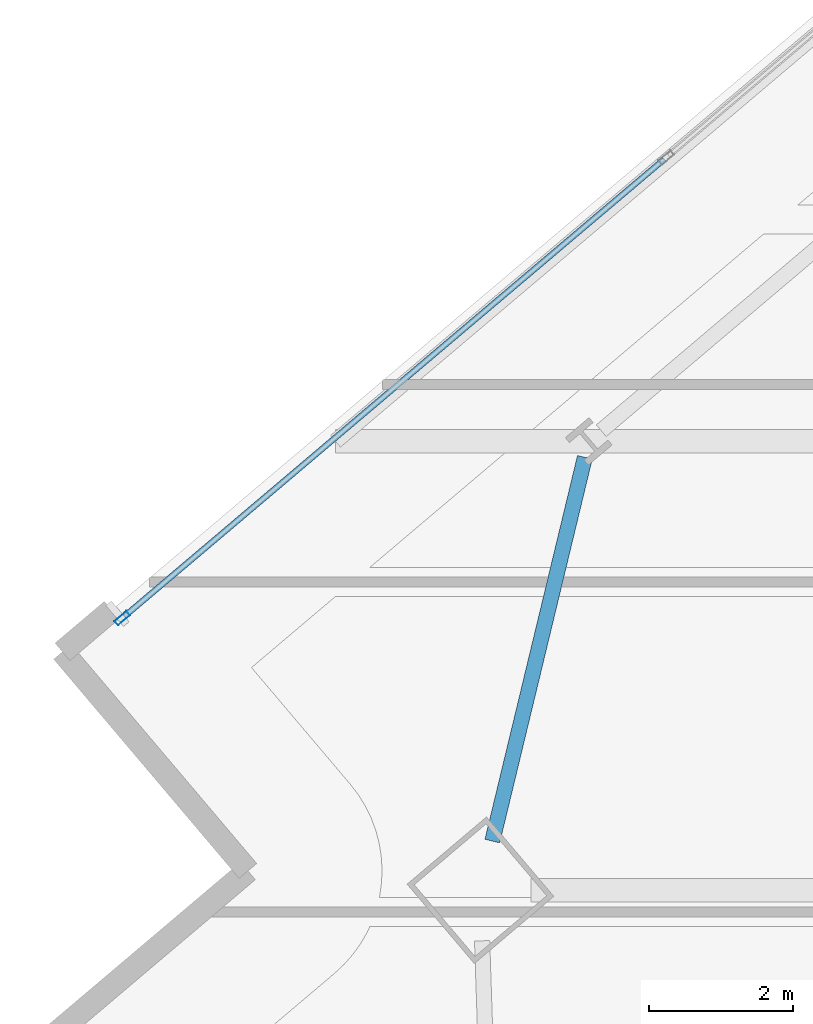
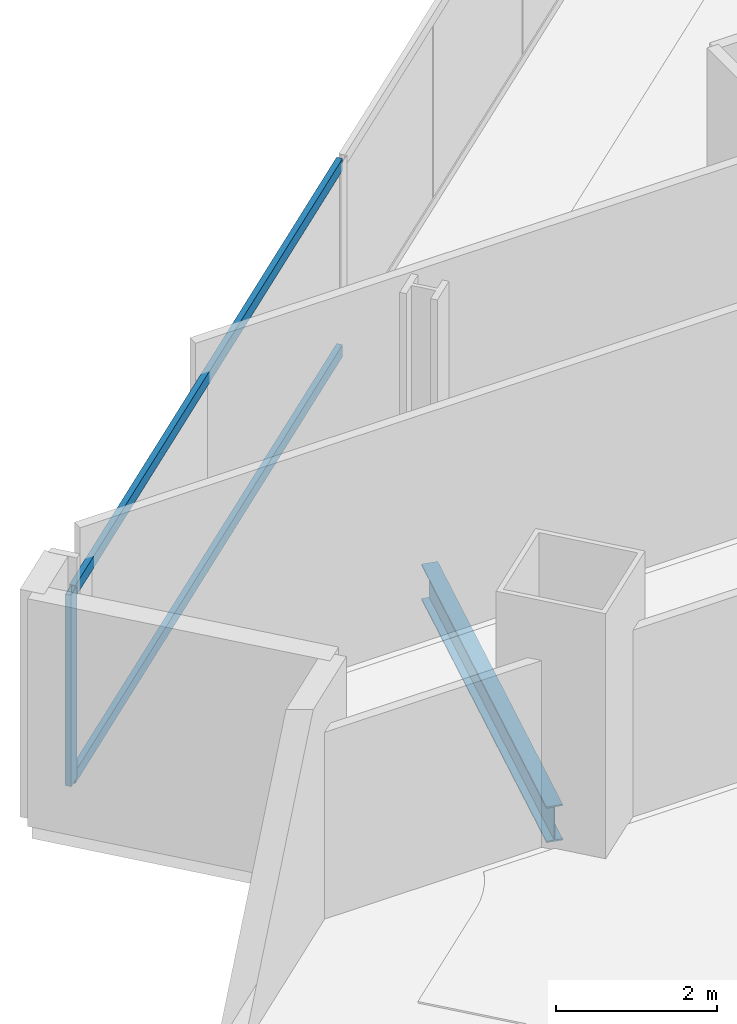
# One storey, part 14 of 34: 3 members, 1 beam, 1 element without a shape of its own.
"""IFC4 building model written with IfcOpenShell, lengths in metres."""

from ifc_helpers import new_model, si_unit, direction, frame, origin, origin_2d, place, context, subcontext, project, spatial, hollow_rectangle, i_section, extrude, material, material_profile, profile_set, type_object, element, aggregate, save


model = new_model("IFC4")

# Units and contexts
model_context = context("Model", 3, precision=1e-05, world=origin(), true_north=direction((0.0, 1.0)))
body_context = subcontext(model_context, "Body", "Model", "MODEL_VIEW")
ifc_project = project(units=[si_unit("LENGTHUNIT", "METRE"), si_unit("AREAUNIT", "SQUARE_METRE"), si_unit("VOLUMEUNIT", "CUBIC_METRE"), si_unit("PLANEANGLEUNIT", "RADIAN"), si_unit("MASSUNIT", "GRAM", prefix="KILO")], contexts=[model_context])

# Site, building, storey
site_placement = place(None, origin())
site = spatial("IfcSite", under=ifc_project, at=site_placement, CompositionType="ELEMENT")
building_placement = place(site_placement, origin())
building = spatial("IfcBuilding", under=site, at=building_placement, Name="Haldenkirk Collegiate Tower", CompositionType="ELEMENT")
storey_placement = place(building_placement, frame((0.0, 0.0, 163.199951171875)))
storey = spatial("IfcBuildingStorey", under=building, at=storey_placement, Name="L40", CompositionType="ELEMENT", Elevation=163.199951171875)

# Beam
ifc_material_1 = material(Name="Steel ASTM A992 Grade 50", Category="steel")
ifc_material_profile_1 = material_profile(ifc_material_1, i_section(OverallWidth=0.2119140625, OverallDepth=0.5439453125, WebThickness=0.01318359375, FlangeThickness=0.021240234375, at=origin_2d()), Name="W21X83")
ifc_profile_set_1 = profile_set([ifc_material_profile_1], Name="Steel ASTM A992 Grade 50")
beam_type = type_object("IfcBeamType", Name="BM-SPANDREL-W21X83", PredefinedType="SPANDREL", material=ifc_profile_set_1)
beam_placement = place(storey_placement, frame((12.21630859375, 33.137451171875, -0.56201171875), z_axis=(-0.234477140293, -0.972121633686, 0.0), x_axis=(0.972121633686, -0.234477140293, 0.0)))
element("IfcBeam", 1, at=beam_placement, inside=storey, type_object=beam_type, Name="L40 perimeter spandrel beam 12", PredefinedType="SPANDREL", context=body_context, shape_type="SweptSolid", body=[
    extrude(i_section(OverallWidth=0.2119140625, OverallDepth=0.5439453125, WebThickness=0.01318359375, FlangeThickness=0.021240234375, at=origin_2d()), origin(), (0.0, 0.0, 1.0), 5.501708984375),
])

# Curtain wall, members
ifc_material_2 = material(Name="Anodised architectural bronze aluminium", Category="aluminium")
curtain_wall_type = type_object("IfcCurtainWallType", Name="CW-SYS1-CONVEX-LOW", PredefinedType="USERDEFINED", material=ifc_material_2)
curtain_wall_placement = place(storey_placement, origin())
curtain_wall = element("IfcCurtainWall", 2, at=curtain_wall_placement, inside=storey, type_object=curtain_wall_type, Name="L40 Lower tower convex bronze-framed unitised curtain wall", ObjectType="UNITISED CURTAIN WALL", PredefinedType="USERDEFINED")
ifc_material_profile_2 = material_profile(ifc_material_2, hollow_rectangle(XDim=0.080078125, YDim=0.219970703125, WallThickness=0.0048828125, at=origin_2d()), Name="CW-MUL-1A")
ifc_profile_set_2 = profile_set([ifc_material_profile_2], Name="Anodised architectural bronze aluminium")
member_type_1 = type_object("IfcMemberType", Name="CW-MUL-1A", PredefinedType="MULLION", material=ifc_profile_set_2)
member_1_placement = place(storey_placement, frame((5.768798828125, 30.89599609375, 0.0), z_axis=(0.0, 0.0, 1.0), x_axis=(-0.646124454254, 0.763232067994, 0.0)))
member_1 = element("IfcMember", 3, at=member_1_placement, type_object=member_type_1, Name="CW-1A mullion 1", PredefinedType="MULLION", context=body_context, shape_type="SweptSolid", body=[
    extrude(hollow_rectangle(XDim=0.080078125, YDim=0.219970703125, WallThickness=0.0048828125, at=origin_2d()), origin(), (0.0, 0.0, 1.0), 2.9111328125),
])
ifc_material_profile_3 = material_profile(ifc_material_2, hollow_rectangle(XDim=0.080078125, YDim=0.179931640625, WallThickness=0.0048828125, at=origin_2d()), Name="CW-TRN-1A")
ifc_profile_set_3 = profile_set([ifc_material_profile_3], Name="Anodised architectural bronze aluminium")
member_type_2 = type_object("IfcMemberType", Name="CW-TRN-1A", PredefinedType="USERDEFINED", material=ifc_profile_set_3)
member_2_placement = place(storey_placement, frame((5.79931640625, 30.921875, 0.0400390625), z_axis=(0.763218996593, 0.64613989448, 0.0), x_axis=(-0.64613989448, 0.763218996593, 0.0)))
member_2 = element("IfcMember", 4, at=member_2_placement, type_object=member_type_2, Name="CW-1A transom 1.1", ObjectType="TRANSOM", PredefinedType="USERDEFINED", context=body_context, shape_type="SweptSolid", body=[
    extrude(hollow_rectangle(XDim=0.080078125, YDim=0.179931640625, WallThickness=0.0048828125, at=origin_2d()), origin(), (0.0, 0.0, 1.0), 9.85498046875),
])
member_3_placement = place(storey_placement, frame((5.79931640625, 30.921875, 2.87109375), z_axis=(0.763218996593, 0.64613989448, 0.0), x_axis=(-0.64613989448, 0.763218996593, 0.0)))
member_3 = element("IfcMember", 5, at=member_3_placement, type_object=member_type_2, Name="CW-1A transom 1.2", ObjectType="TRANSOM", PredefinedType="USERDEFINED", context=body_context, shape_type="SweptSolid", body=[
    extrude(hollow_rectangle(XDim=0.080078125, YDim=0.179931640625, WallThickness=0.0048828125, at=origin_2d()), origin(), (0.0, 0.0, 1.0), 9.85498046875),
])
aggregate(curtain_wall, [member_1, member_2, member_3])

save(model, "model.ifc")
